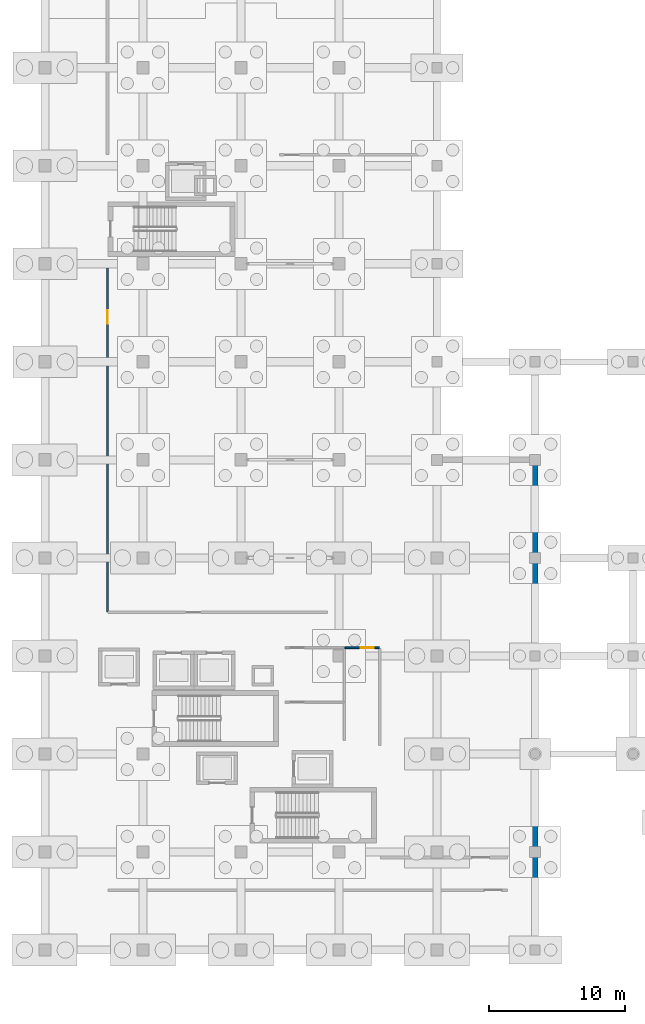
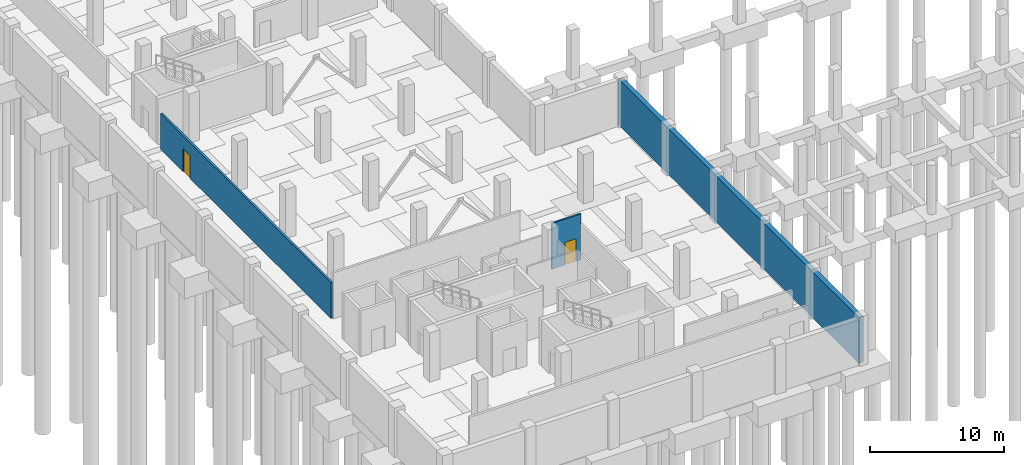
# One storey, part 27 of 36: 3 walls, 2 doors, 2 openings.
"""IFC4 building model written with IfcOpenShell, lengths in metres."""

from ifc_helpers import new_model, si_unit, direction, frame, frame_2d, origin, place, context, subcontext, project, spatial, rectangle, extrude, material, layer, layer_set, type_object, element, fill, save


model = new_model("IFC4")

# Units and contexts
model_context = context("Model", 3, precision=1e-05, world=origin(), true_north=direction((0.0, 1.0)))
body_context = subcontext(model_context, "Body", "Model", "MODEL_VIEW")
ifc_project = project(units=[si_unit("LENGTHUNIT", "METRE"), si_unit("AREAUNIT", "SQUARE_METRE"), si_unit("VOLUMEUNIT", "CUBIC_METRE"), si_unit("PLANEANGLEUNIT", "RADIAN"), si_unit("MASSUNIT", "GRAM", prefix="KILO")], contexts=[model_context])

# Site, building, storey
site_placement = place(None, origin())
site = spatial("IfcSite", under=ifc_project, at=site_placement, CompositionType="ELEMENT")
building_placement = place(site_placement, origin())
building = spatial("IfcBuilding", under=site, at=building_placement, Name="Kalmorath City Hall", CompositionType="ELEMENT")
storey_placement = place(building_placement, frame((0.0, 0.0, -4.5)))
storey = spatial("IfcBuildingStorey", under=building, at=storey_placement, Name="B1", CompositionType="ELEMENT", Elevation=-4.5)

# Wall
ifc_material_1 = material(Name="Concrete C40/50", Category="concrete")
ifc_layer_1 = layer(ifc_material_1, 0.39990234375)
ifc_layer_set_1 = layer_set([ifc_layer_1], Name="Concrete C40/50")
wall_type_1 = type_object("IfcWallType", Name="Concrete basement retaining wall 400", PredefinedType="USERDEFINED", material=ifc_layer_set_1)
wall_1_placement = place(storey_placement, frame((36.0, 0.0, 0.0), z_axis=(0.0, 0.0, 1.0), x_axis=(0.0, 1.0, 0.0)))
element("IfcWall", 1, at=wall_1_placement, inside=storey, type_object=wall_type_1, Name="B1 retaining wall RW1-2", ObjectType="RETAININGWALL", PredefinedType="USERDEFINED", context=body_context, shape_type="SweptSolid", body=[
    extrude(rectangle(XDim=36.0, YDim=0.39990234375, at=frame_2d((18.0, 0.0))), origin(), (0.0, 0.0, 1.0), 4.199951171875),
])

# Wall, opening, door
ifc_material_2 = material(Name="Fire-rated acoustic gypsum partition")
ifc_layer_2 = layer(ifc_material_2, 0.179931640625)
ifc_layer_set_2 = layer_set([ifc_layer_2], Name="Fire-rated acoustic gypsum partition")
wall_type_2 = type_object("IfcWallType", Name="One-hour corridor fire partition 180", PredefinedType="PARTITIONING", material=ifc_layer_set_2)
wall_2_placement = place(storey_placement, frame((4.60009765625, 24.840087890625, 0.0), z_axis=(0.0, 0.0, 1.0), x_axis=(0.0, 1.0, 0.0)))
wall_2 = element("IfcWall", 2, at=wall_2_placement, inside=storey, type_object=wall_type_2, Name="B1 interior partition PW2 #1", PredefinedType="PARTITIONING", context=body_context, shape_type="SweptSolid", body=[
    extrude(rectangle(XDim=25.52001953125, YDim=0.179931640625, at=frame_2d((12.760009765625, 0.0))), origin(), (0.0, 0.0, 1.0), 3.281005859375),
])
opening_1_placement = place(wall_2_placement, frame((21.139892578125, 0.0, 0.0)))
opening_1 = element("IfcOpeningElement", 3, at=opening_1_placement, cuts=wall_2, Name="Opening D-B1-110", PredefinedType="OPENING", context=body_context, shape_type="SweptSolid", body=[
    extrude(rectangle(XDim=1.0, YDim=2.10009765625, at=frame_2d((0.5, 1.050048828125))), frame((0.0, 0.099853515625, 0.0), z_axis=(0.0, -1.0, 0.0), x_axis=(1.0, 0.0, 0.0)), (0.0, 0.0, 1.0), 0.199951171875),
])
ifc_material_3 = material(Name="Hardwood fire door", Category="wood")
door_type_1 = type_object("IfcDoorType", Name="Corridor 60-min fire door 1000x2100", OperationType="NOTDEFINED", PredefinedType="DOOR", material=ifc_material_3)
door_1_placement = place(opening_1_placement, origin())
door_1 = element("IfcDoor", 4, at=door_1_placement, inside=storey, type_object=door_type_1, Name="B1 door D-B1-110", OperationType="SINGLE_SWING_RIGHT", OverallHeight=2.10009765625, OverallWidth=1.0, PredefinedType="DOOR", context=body_context, shape_type="SweptSolid", body=[
    extrude(rectangle(XDim=1.0, YDim=2.10009765625, at=frame_2d((0.5, 1.050048828125))), frame((0.0, 0.02490234375, 0.0), z_axis=(0.0, -1.0, 0.0), x_axis=(1.0, 0.0, 0.0)), (0.0, 0.0, 1.0), 0.050048828125),
])
fill(opening_1, door_1)

ifc_material_4 = material(Name="Moisture-resistant fire-rated partition")
ifc_layer_3 = layer(ifc_material_4, 0.139892578125)
ifc_layer_set_3 = layer_set([ifc_layer_3], Name="Moisture-resistant fire-rated partition")
wall_type_3 = type_object("IfcWallType", Name="Restroom wet-wall tile partition 140", PredefinedType="PARTITIONING", material=ifc_layer_set_3)
wall_3_placement = place(storey_placement, frame((22.0400390625, 22.199951171875, 0.0), z_axis=(0.0, 0.0, 1.0), x_axis=(1.0, 0.0, 0.0)))
wall_3 = element("IfcWall", 5, at=wall_3_placement, inside=storey, type_object=wall_type_3, Name="B1 interior partition PW5 #9", PredefinedType="PARTITIONING", context=body_context, shape_type="SweptSolid", body=[
    extrude(rectangle(XDim=2.52001953125, YDim=0.139892578125, at=frame_2d((1.260009765625, 0.0))), origin(), (0.0, 0.0, 1.0), 4.199951171875),
])
opening_2_placement = place(wall_3_placement, frame((1.14990234375, 0.0, 0.0)))
opening_2 = element("IfcOpeningElement", 6, at=opening_2_placement, cuts=wall_3, Name="Opening D-B1-121", PredefinedType="OPENING", context=body_context, shape_type="SweptSolid", body=[
    extrude(rectangle(XDim=0.949951171875, YDim=2.080078125, at=frame_2d((0.47509765625, 1.0400390625))), frame((0.0, 0.079833984375, 0.0), z_axis=(0.0, -1.0, 0.0), x_axis=(1.0, 0.0, 0.0)), (0.0, 0.0, 1.0), 0.159912109375),
])
ifc_material_5 = material(Name="Laminate solid-core door")
door_type_2 = type_object("IfcDoorType", Name="Restroom accessible door 950x2080", OperationType="NOTDEFINED", PredefinedType="DOOR", material=ifc_material_5)
door_2_placement = place(opening_2_placement, origin())
door_2 = element("IfcDoor", 7, at=door_2_placement, inside=storey, type_object=door_type_2, Name="B1 door D-B1-121", OperationType="SINGLE_SWING_LEFT", OverallHeight=2.080078125, OverallWidth=0.949951171875, PredefinedType="DOOR", context=body_context, shape_type="SweptSolid", body=[
    extrude(rectangle(XDim=0.949951171875, YDim=2.080078125, at=frame_2d((0.47509765625, 1.0400390625))), frame((0.0, 0.02490234375, 0.0), z_axis=(0.0, -1.0, 0.0), x_axis=(1.0, 0.0, 0.0)), (0.0, 0.0, 1.0), 0.050048828125),
])
fill(opening_2, door_2)

save(model, "model.ifc")
